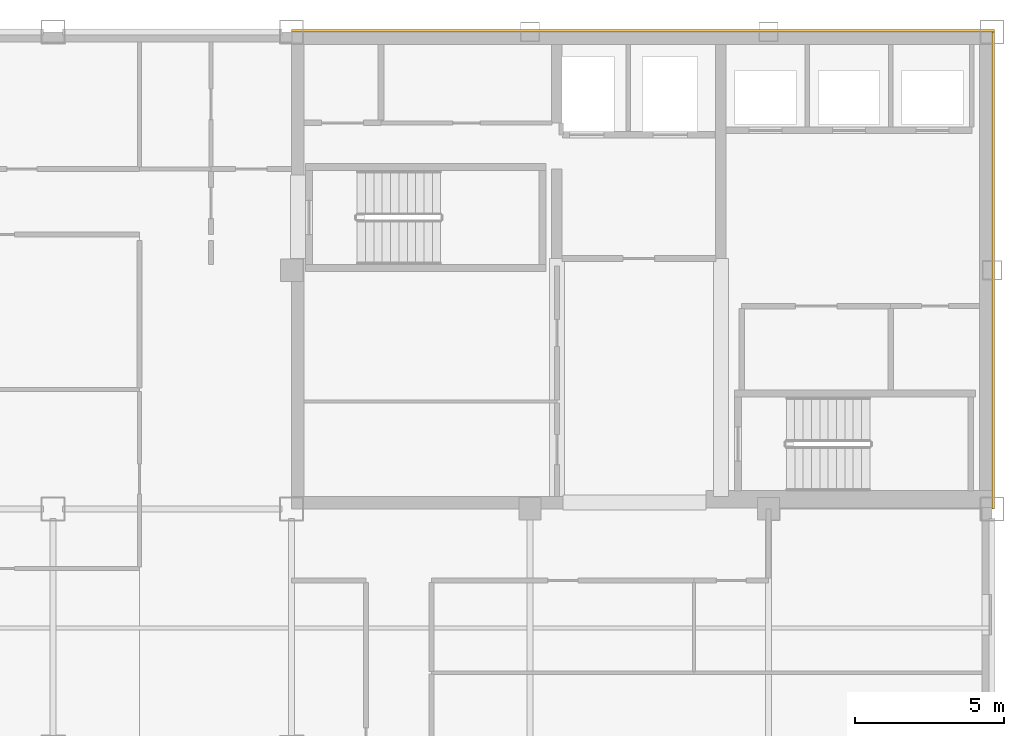
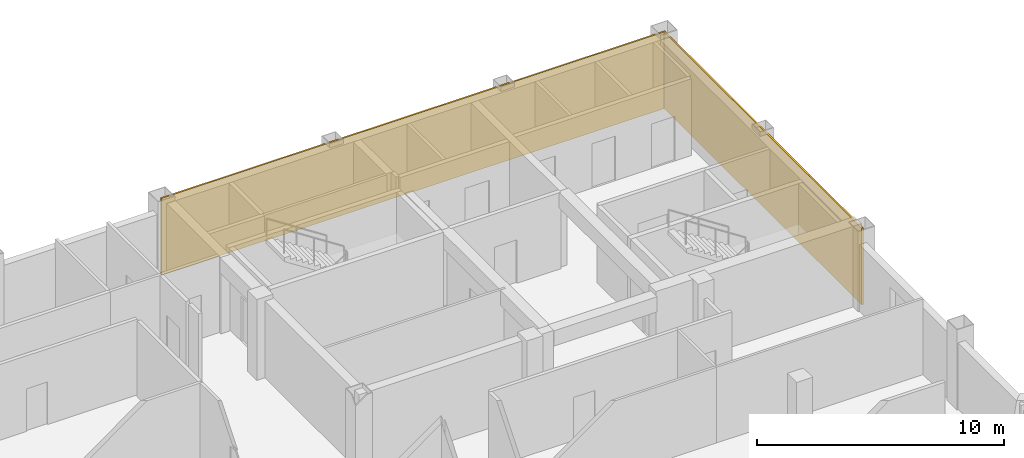
# One storey, part 7 of 7: 2 coverings.
"""IFC4 building model written with IfcOpenShell, lengths in metres."""

from ifc_helpers import new_model, si_unit, direction, frame, origin, origin_2d, place, context, subcontext, project, spatial, rectangle, extrude, material, layer, layer_set, type_object, element, save


model = new_model("IFC4")

# Units and contexts
model_context = context("Model", 3, precision=1e-05, world=origin(), true_north=direction((0.0, 1.0)))
body_context = subcontext(model_context, "Body", "Model", "MODEL_VIEW")
ifc_project = project(units=[si_unit("LENGTHUNIT", "METRE"), si_unit("AREAUNIT", "SQUARE_METRE"), si_unit("VOLUMEUNIT", "CUBIC_METRE"), si_unit("PLANEANGLEUNIT", "RADIAN"), si_unit("MASSUNIT", "GRAM", prefix="KILO")], contexts=[model_context])

# Site, building, storey
site_placement = place(None, origin())
site = spatial("IfcSite", under=ifc_project, at=site_placement, CompositionType="ELEMENT")
building_placement = place(site_placement, origin())
building = spatial("IfcBuilding", under=site, at=building_placement, Name="Qianrong Seaharbour Tower", CompositionType="ELEMENT")
storey_placement = place(building_placement, frame((0.0, 0.0, 343.199951171875)))
storey = spatial("IfcBuildingStorey", under=building, at=storey_placement, Name="L83", CompositionType="ELEMENT", Elevation=343.199951171875)

# Coverings
ifc_material = material(Name="Unitised red brick cladding on Precast concrete C45/55", Category="masonry")
ifc_layer = layer(ifc_material, 0.080078125)
ifc_layer_set = layer_set([ifc_layer], Name="Unitised red brick cladding on Precast concrete C45/55")
covering_type = type_object("IfcCoveringType", Name="COV-CLAD-RED-BRICK-80", PredefinedType="CLADDING", material=ifc_layer_set)
covering_1_placement = place(storey_placement, frame((52.2900390625, 52.0400390625, 0.0), z_axis=(0.0, 0.0, 1.0), x_axis=(1.0, 0.0, 0.0)))
element("IfcCovering", 1, at=covering_1_placement, inside=storey, type_object=covering_type, Name="L83 North Core Brick Veneer Cladding", PredefinedType="CLADDING", context=body_context, shape_type="SweptSolid", body=[
    extrude(rectangle(XDim=23.580078125, YDim=0.080078125, at=origin_2d()), origin(), (0.0, 0.0, 1.0), 3.784912109375),
])
covering_2_placement = place(storey_placement, frame((64.0400390625, 44.0, 0.0), z_axis=(0.0, 0.0, 1.0), x_axis=(1.0, 0.0, 0.0)))
element("IfcCovering", 2, at=covering_2_placement, inside=storey, type_object=covering_type, Name="L83 East Core Brick Veneer Cladding", PredefinedType="CLADDING", context=body_context, shape_type="SweptSolid", body=[
    extrude(rectangle(XDim=0.080078125, YDim=16.0, at=origin_2d()), origin(), (0.0, 0.0, 1.0), 3.784912109375),
])

save(model, "model.ifc")
